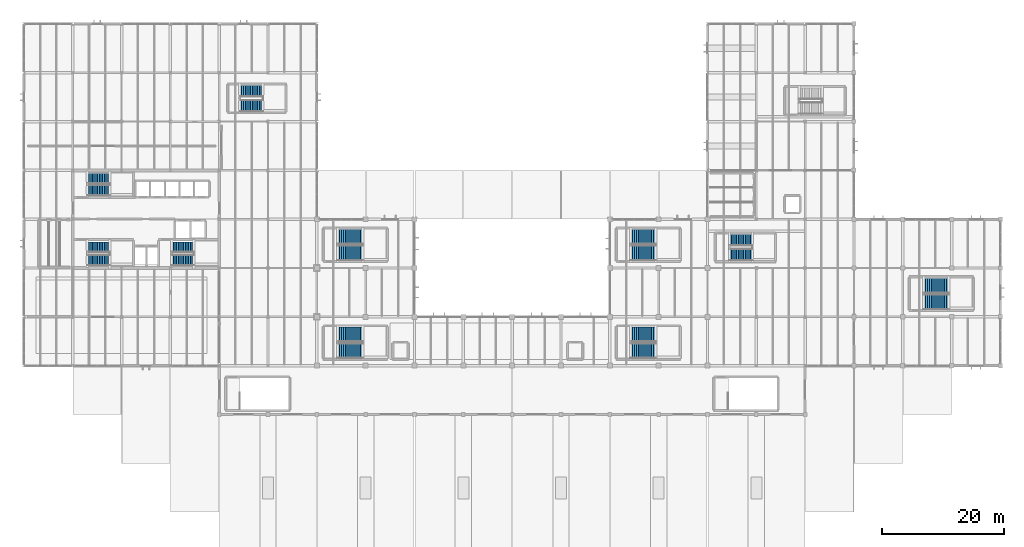
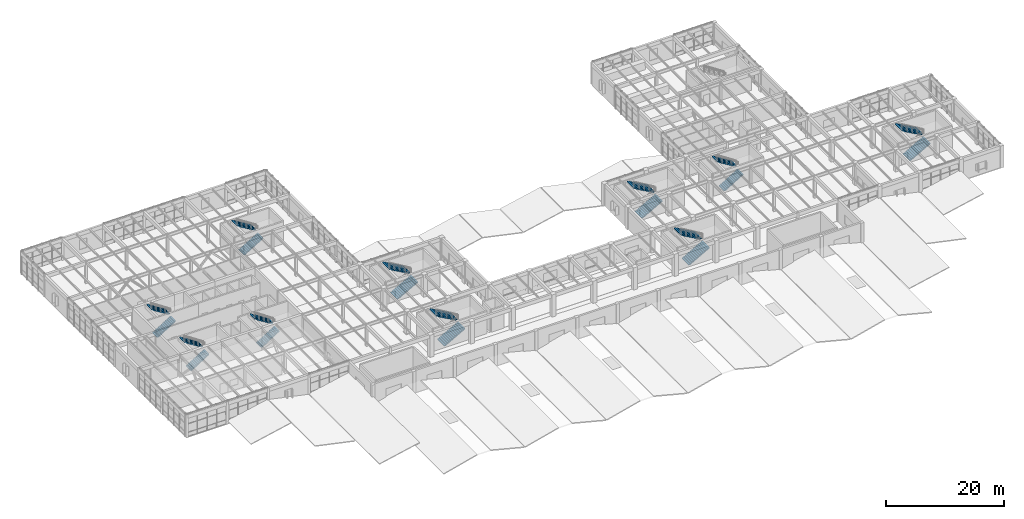
# One storey, part 48 of 60: 20 stair flights, 10 elements without a shape of their own.
"""IFC4 building model written with IfcOpenShell, lengths in metres."""

import ifcopenshell
import ifcopenshell.guid

model = None  # the IFC model being written
_history = None  # IfcOwnerHistory: only IFC2X3 demands one
_inside = {}  # id of a spatial element -> (the spatial element, [elements in it])
_under = {}  # id of a project, library or spatial element -> (it, [spatial elements below it])
_declared = {}  # id of a project -> (the project, [libraries it declares])
_typed = {}  # id of a type object -> (the type object, [elements of that type])
_made_of = {}  # id of a material, layer set ... -> (it, [elements and type objects made of it])


def new_model(schema):
    """Start an empty IFC model of exactly this schema.

    Asked for "IFC4X3", IfcOpenShell would pick the latest addendum, in which some entities
    have other attributes; the version numbers below select the first issue.
    IFC2X3 requires an IfcOwnerHistory on every rooted entity: one is made here for all.
    """
    global model, _history
    if schema == "IFC4X3":
        model = ifcopenshell.file(schema_version=(4, 3, 0, 0))
    else:
        model = ifcopenshell.file(schema=schema)
    _inside.clear()
    _under.clear()
    _declared.clear()
    _typed.clear()
    _made_of.clear()
    _history = None
    if model.schema == "IFC2X3":
        org = make("IfcOrganization", Name="unknown")
        user = make(
            "IfcPersonAndOrganization",
            ThePerson=make("IfcPerson", FamilyName="unknown"),
            TheOrganization=org,
        )
        app = make(
            "IfcApplication",
            ApplicationDeveloper=org,
            Version="unknown",
            ApplicationFullName="unknown",
            ApplicationIdentifier="unknown",
        )
        _history = make(
            "IfcOwnerHistory",
            OwningUser=user,
            OwningApplication=app,
            ChangeAction="ADDED",
            CreationDate=0,
        )
    return model


def make(cls, **values):
    """One entity of the class cls with the attributes given. An attribute that is None is left unset."""
    return model.create_entity(
        cls, **{name: value for name, value in values.items() if value is not None}
    )


def rooted(cls, **values):
    """An entity with a GlobalId (a new one), such as an element, a storey or a relation."""
    return make(cls, GlobalId=ifcopenshell.guid.new(), OwnerHistory=_history, **values)


def si_unit(unit_type, name, prefix=None):
    """IfcSIUnit, for example si_unit("LENGTHUNIT", "METRE", prefix="MILLI")."""
    return make("IfcSIUnit", UnitType=unit_type, Prefix=prefix, Name=name)


def assignment(units):
    """IfcUnitAssignment: the units of a project."""
    return None if units is None else make("IfcUnitAssignment", Units=units)


def point(xyz):
    """IfcCartesianPoint."""
    return None if xyz is None else make("IfcCartesianPoint", Coordinates=xyz)


def direction(xyz):
    """IfcDirection."""
    return None if xyz is None else make("IfcDirection", DirectionRatios=xyz)


def frame(location, z_axis=None, x_axis=None):
    """IfcAxis2Placement3D, a coordinate frame: its origin and axes. An axis left out is left unset."""
    return make(
        "IfcAxis2Placement3D",
        Location=point(location),
        Axis=direction(z_axis),
        RefDirection=direction(x_axis),
    )


def origin():
    """The frame at (0, 0, 0) with its axes left unset."""
    return frame((0.0, 0.0, 0.0))


def place(relative_to, where):
    """IfcLocalPlacement: puts the frame where relative to a parent placement (None: the world)."""
    return make(
        "IfcLocalPlacement", PlacementRelTo=relative_to, RelativePlacement=where
    )


def context(
    kind, dimensions, precision=None, world=None, true_north=None, identifier=None
):
    """IfcGeometricRepresentationContext, for example the 3D "Model" context."""
    return make(
        "IfcGeometricRepresentationContext",
        ContextIdentifier=identifier,
        ContextType=kind,
        CoordinateSpaceDimension=dimensions,
        Precision=precision,
        WorldCoordinateSystem=world,
        TrueNorth=true_north,
    )


def subcontext(parent, identifier, kind, view, scale=None):
    """IfcGeometricRepresentationSubContext, for example "Body" below "Model"."""
    return make(
        "IfcGeometricRepresentationSubContext",
        ContextIdentifier=identifier,
        ContextType=kind,
        ParentContext=parent,
        TargetScale=scale,
        TargetView=view,
    )


def project(units=None, contexts=None):
    """IfcProject with its units and contexts."""
    return rooted(
        "IfcProject",
        Name="project",
        RepresentationContexts=contexts,
        UnitsInContext=assignment(units),
    )


def spatial(cls, under=None, at=None, **own):
    """A site, building, storey or space (cls), placed at a placement, below another one or the project."""
    s = rooted(cls, ObjectPlacement=at, **own)
    if under is not None:
        _under.setdefault(under.id(), (under, []))[1].append(s)
    return s


def polyline(points):
    """IfcPolyline through the points."""
    return make("IfcPolyline", Points=[point(p) for p in points])


def outline(outer, holes=None, kind="AREA"):
    """IfcArbitraryClosedProfileDef: a profile drawn as a closed curve; with holes, ...WithVoids."""
    if holes is None:
        return make("IfcArbitraryClosedProfileDef", ProfileType=kind, OuterCurve=outer)
    return make(
        "IfcArbitraryProfileDefWithVoids",
        ProfileType=kind,
        OuterCurve=outer,
        InnerCurves=holes,
    )


def extrude(swept, where, along, depth):
    """IfcExtrudedAreaSolid: the profile swept, set in the frame where, extruded along a direction by depth."""
    return make(
        "IfcExtrudedAreaSolid",
        SweptArea=swept,
        Position=where,
        ExtrudedDirection=direction(along),
        Depth=depth,
    )


def shape(context_of_items, identifier, shape_type, items):
    """IfcShapeRepresentation: the items that make up one representation, for example the "Body"."""
    return make(
        "IfcShapeRepresentation",
        ContextOfItems=context_of_items,
        RepresentationIdentifier=identifier,
        RepresentationType=shape_type,
        Items=items,
    )


def material(Name=None, Category=None):
    """IfcMaterial."""
    return make("IfcMaterial", Name=Name, Category=Category)


def made_of(thing, what):
    """Note that an element or type object is made of a material, layer set ...; save() writes the relation."""
    if what is not None:
        _made_of.setdefault(what.id(), (what, []))[1].append(thing)
    return thing


def type_object(cls, material=None, **own):
    """A type object (cls), such as IfcWallType, which elements share."""
    return made_of(rooted(cls, **own), material)


def element(
    cls,
    number,
    at=None,
    inside=None,
    cuts=None,
    type_object=None,
    material=None,
    context=None,
    identifier="Body",
    shape_type=None,
    held_by="IfcProductDefinitionShape",
    body=None,
    shapes=None,
    **own,
):
    """One element of the class cls, such as IfcWall. Its Tag is "e" and its number.

    at: its placement. inside: the storey or other place that contains it. cuts: it is an
    opening in that element (IfcRelVoidsElement). A single representation is given by context,
    identifier, shape_type and body (its items); several are given by shapes. held_by: the class
    of the entity that holds the representations. save() writes the other relations.
    """
    e = rooted(cls, Tag="e%d" % number, ObjectPlacement=at, **own)
    if body is not None:
        shapes = [shape(context, identifier, shape_type, body)]
    if shapes is not None:
        e.Representation = make(held_by, Representations=shapes)
    if inside is not None:
        _inside.setdefault(inside.id(), (inside, []))[1].append(e)
    if cuts is not None:
        rooted(
            "IfcRelVoidsElement", RelatingBuildingElement=cuts, RelatedOpeningElement=e
        )
    if type_object is not None:
        _typed.setdefault(type_object.id(), (type_object, []))[1].append(e)
    return made_of(e, material)


def aggregate(whole, parts):
    """IfcRelAggregates: a whole, such as a stair, and the parts it consists of."""
    return rooted("IfcRelAggregates", RelatingObject=whole, RelatedObjects=parts)


def save(model, path):
    """Write the relations noted so far, then the file.

    IfcRelAggregates (storeys below a building ...), IfcRelContainedInSpatialStructure (elements
    in a storey), IfcRelDefinesByType, IfcRelAssociatesMaterial and IfcRelDeclares: one each for
    every whole, place, type object, material and project.
    """
    for whole, parts in _under.values():
        aggregate(whole, parts)
    for where, things in _inside.values():
        rooted(
            "IfcRelContainedInSpatialStructure",
            RelatedElements=things,
            RelatingStructure=where,
        )
    for kind, things in _typed.values():
        rooted("IfcRelDefinesByType", RelatedObjects=things, RelatingType=kind)
    for what, things in _made_of.values():
        rooted("IfcRelAssociatesMaterial", RelatedObjects=things, RelatingMaterial=what)
    for by, libraries in _declared.values():
        rooted("IfcRelDeclares", RelatingContext=by, RelatedDefinitions=libraries)
    model.write(path)


model = new_model("IFC4")

# Units and contexts
model_context = context("Model", 3, precision=1e-05, world=origin(), true_north=direction((0.0, 1.0)))
body_context = subcontext(model_context, "Body", "Model", "MODEL_VIEW")
ifc_project = project(units=[si_unit("LENGTHUNIT", "METRE"), si_unit("AREAUNIT", "SQUARE_METRE"), si_unit("VOLUMEUNIT", "CUBIC_METRE"), si_unit("PLANEANGLEUNIT", "RADIAN"), si_unit("MASSUNIT", "GRAM", prefix="KILO")], contexts=[model_context])

# Site, building, storey
site_placement = place(None, origin())
site = spatial("IfcSite", under=ifc_project, at=site_placement, CompositionType="ELEMENT")
building_placement = place(site_placement, origin())
building = spatial("IfcBuilding", under=site, at=building_placement, Name="Varnela Railside Interchange", CompositionType="ELEMENT")
storey_placement = place(building_placement, frame((0.0, 0.0, 6.300048828125)))
storey = spatial("IfcBuildingStorey", under=building, at=storey_placement, Name="L01", CompositionType="ELEMENT", Elevation=6.300048828125)

# Stair, stair flights
ifc_material = material(Name="Concrete C40", Category="concrete")
stair_type_1 = type_object("IfcStairType", Name="Core Pressurized Stair ST-165", PredefinedType="TWO_STRAIGHT_RUN_STAIR", material=ifc_material)
stair_1_placement = place(storey_placement, origin())
stair_1 = element("IfcStair", 1, at=stair_1_placement, inside=storey, type_object=stair_type_1, Name="Stair ST-T1 (L01) (SF-145)", PredefinedType="TWO_STRAIGHT_RUN_STAIR")
stair_flight_type_1 = type_object("IfcStairFlightType", Name="Concrete Stair Flight SF-165", PredefinedType="STRAIGHT", material=ifc_material)
stair_flight_1_placement = place(storey_placement, frame((14.39990234375, 55.324951171875, 0.0), z_axis=(0.0, 0.0, 1.0), x_axis=(1.0, 0.0, 0.0)))
stair_flight_1 = element("IfcStairFlight", 2, at=stair_flight_1_placement, type_object=stair_flight_type_1, Name="ST-T1 flight 1 (SF-146)", NumberOfRisers=14, NumberOfTreads=13, PredefinedType="STRAIGHT", RiserHeight=0.175, TreadLength=0.28, context=body_context, shape_type="SweptSolid", body=[
    extrude(outline(polyline([(0.0, 0.0), (0.0, 0.175048828125), (0.280029296875, 0.175048828125), (0.280029296875, 0.35009765625), (0.56005859375, 0.35009765625), (0.56005859375, 0.52490234375), (0.840087890625, 0.52490234375), (0.840087890625, 0.699951171875), (1.1201171875, 0.699951171875), (1.1201171875, 0.875), (1.39990234375, 0.875), (1.39990234375, 1.050048828125), (1.679931640625, 1.050048828125), (1.679931640625, 1.22509765625), (1.9599609375, 1.22509765625), (1.9599609375, 1.39990234375), (2.239990234375, 1.39990234375), (2.239990234375, 1.574951171875), (2.52001953125, 1.574951171875), (2.52001953125, 1.75), (2.800048828125, 1.75), (2.800048828125, 1.925048828125), (3.080078125, 1.925048828125), (3.080078125, 2.10009765625), (3.360107421875, 2.10009765625), (3.360107421875, 2.27490234375), (3.639892578125, 2.27490234375), (3.639892578125, 2.449951171875), (3.639892578125, 2.08642578125), (0.3017578125, 0.0), (0.0, 0.0)])), frame((0.0, 0.824951171875, 0.0), z_axis=(0.0, -1.0, 0.0), x_axis=(1.0, 0.0, 0.0)), (0.0, 0.0, 1.0), 1.64990234375),
])
stair_flight_2_placement = place(storey_placement, frame((18.0400390625, 57.47509765625, 2.449951171875), z_axis=(0.0, 0.0, 1.0), x_axis=(-1.0, 0.0, 0.0)))
stair_flight_2 = element("IfcStairFlight", 3, at=stair_flight_2_placement, type_object=stair_flight_type_1, Name="ST-T1 flight 2 (SF-147)", NumberOfRisers=14, NumberOfTreads=13, PredefinedType="STRAIGHT", RiserHeight=0.175, TreadLength=0.28, context=body_context, shape_type="SweptSolid", body=[
    extrude(outline(polyline([(0.0, 0.0), (0.0, 0.175048828125), (0.280029296875, 0.175048828125), (0.280029296875, 0.35009765625), (0.56005859375, 0.35009765625), (0.56005859375, 0.52490234375), (0.840087890625, 0.52490234375), (0.840087890625, 0.699951171875), (1.1201171875, 0.699951171875), (1.1201171875, 0.875), (1.39990234375, 0.875), (1.39990234375, 1.050048828125), (1.679931640625, 1.050048828125), (1.679931640625, 1.22509765625), (1.9599609375, 1.22509765625), (1.9599609375, 1.39990234375), (2.239990234375, 1.39990234375), (2.239990234375, 1.574951171875), (2.52001953125, 1.574951171875), (2.52001953125, 1.75), (2.800048828125, 1.75), (2.800048828125, 1.925048828125), (3.080078125, 1.925048828125), (3.080078125, 2.10009765625), (3.360107421875, 2.10009765625), (3.360107421875, 2.27490234375), (3.639892578125, 2.27490234375), (3.639892578125, 2.449951171875), (3.639892578125, 2.08642578125), (0.3017578125, 0.0), (0.0, 0.0)])), frame((0.0, 0.824951171875, 0.0), z_axis=(0.0, -1.0, 0.0), x_axis=(1.0, 0.0, 0.0)), (0.0, 0.0, 1.0), 1.64990234375),
])
aggregate(stair_1, [stair_flight_1, stair_flight_2])

stair_2_placement = place(storey_placement, origin())
stair_2 = element("IfcStair", 4, at=stair_2_placement, inside=storey, type_object=stair_type_1, Name="Stair ST-T2 (L01) (SF-148)", PredefinedType="TWO_STRAIGHT_RUN_STAIR")
stair_flight_3_placement = place(storey_placement, frame((28.199951171875, 55.324951171875, 0.0), z_axis=(0.0, 0.0, 1.0), x_axis=(1.0, 0.0, 0.0)))
stair_flight_3 = element("IfcStairFlight", 5, at=stair_flight_3_placement, type_object=stair_flight_type_1, Name="ST-T2 flight 1 (SF-149)", NumberOfRisers=14, NumberOfTreads=13, PredefinedType="STRAIGHT", RiserHeight=0.175, TreadLength=0.28, context=body_context, shape_type="SweptSolid", body=[
    extrude(outline(polyline([(0.0, 0.0), (0.0, 0.175048828125), (0.280029296875, 0.175048828125), (0.280029296875, 0.35009765625), (0.56005859375, 0.35009765625), (0.56005859375, 0.52490234375), (0.840087890625, 0.52490234375), (0.840087890625, 0.699951171875), (1.1201171875, 0.699951171875), (1.1201171875, 0.875), (1.39990234375, 0.875), (1.39990234375, 1.050048828125), (1.679931640625, 1.050048828125), (1.679931640625, 1.22509765625), (1.9599609375, 1.22509765625), (1.9599609375, 1.39990234375), (2.239990234375, 1.39990234375), (2.239990234375, 1.574951171875), (2.52001953125, 1.574951171875), (2.52001953125, 1.75), (2.800048828125, 1.75), (2.800048828125, 1.925048828125), (3.080078125, 1.925048828125), (3.080078125, 2.10009765625), (3.360107421875, 2.10009765625), (3.360107421875, 2.27490234375), (3.639892578125, 2.27490234375), (3.639892578125, 2.449951171875), (3.639892578125, 2.08642578125), (0.3017578125, 0.0), (0.0, 0.0)])), frame((0.0, 0.824951171875, 0.0), z_axis=(0.0, -1.0, 0.0), x_axis=(1.0, 0.0, 0.0)), (0.0, 0.0, 1.0), 1.64990234375),
])
stair_flight_4_placement = place(storey_placement, frame((31.840087890625, 57.47509765625, 2.449951171875), z_axis=(0.0, 0.0, 1.0), x_axis=(-1.0, 0.0, 0.0)))
stair_flight_4 = element("IfcStairFlight", 6, at=stair_flight_4_placement, type_object=stair_flight_type_1, Name="ST-T2 flight 2 (SF-150)", NumberOfRisers=14, NumberOfTreads=13, PredefinedType="STRAIGHT", RiserHeight=0.175, TreadLength=0.28, context=body_context, shape_type="SweptSolid", body=[
    extrude(outline(polyline([(0.0, 0.0), (0.0, 0.175048828125), (0.280029296875, 0.175048828125), (0.280029296875, 0.35009765625), (0.56005859375, 0.35009765625), (0.56005859375, 0.52490234375), (0.840087890625, 0.52490234375), (0.840087890625, 0.699951171875), (1.1201171875, 0.699951171875), (1.1201171875, 0.875), (1.39990234375, 0.875), (1.39990234375, 1.050048828125), (1.679931640625, 1.050048828125), (1.679931640625, 1.22509765625), (1.9599609375, 1.22509765625), (1.9599609375, 1.39990234375), (2.239990234375, 1.39990234375), (2.239990234375, 1.574951171875), (2.52001953125, 1.574951171875), (2.52001953125, 1.75), (2.800048828125, 1.75), (2.800048828125, 1.925048828125), (3.080078125, 1.925048828125), (3.080078125, 2.10009765625), (3.360107421875, 2.10009765625), (3.360107421875, 2.27490234375), (3.639892578125, 2.27490234375), (3.639892578125, 2.449951171875), (3.639892578125, 2.08642578125), (0.3017578125, 0.0), (0.0, 0.0)])), frame((0.0, 0.824951171875, 0.0), z_axis=(0.0, -1.0, 0.0), x_axis=(1.0, 0.0, 0.0)), (0.0, 0.0, 1.0), 1.64990234375),
])
aggregate(stair_2, [stair_flight_3, stair_flight_4])

stair_3_placement = place(storey_placement, origin())
stair_3 = element("IfcStair", 7, at=stair_3_placement, inside=storey, type_object=stair_type_1, Name="Stair ST-T3 (L01) (SF-151)", PredefinedType="TWO_STRAIGHT_RUN_STAIR")
stair_flight_5_placement = place(storey_placement, frame((14.39990234375, 66.72509765625, 0.0), z_axis=(0.0, 0.0, 1.0), x_axis=(1.0, 0.0, 0.0)))
stair_flight_5 = element("IfcStairFlight", 8, at=stair_flight_5_placement, type_object=stair_flight_type_1, Name="ST-T3 flight 1 (SF-152)", NumberOfRisers=14, NumberOfTreads=13, PredefinedType="STRAIGHT", RiserHeight=0.175, TreadLength=0.28, context=body_context, shape_type="SweptSolid", body=[
    extrude(outline(polyline([(0.0, 0.0), (0.0, 0.175048828125), (0.280029296875, 0.175048828125), (0.280029296875, 0.35009765625), (0.56005859375, 0.35009765625), (0.56005859375, 0.52490234375), (0.840087890625, 0.52490234375), (0.840087890625, 0.699951171875), (1.1201171875, 0.699951171875), (1.1201171875, 0.875), (1.39990234375, 0.875), (1.39990234375, 1.050048828125), (1.679931640625, 1.050048828125), (1.679931640625, 1.22509765625), (1.9599609375, 1.22509765625), (1.9599609375, 1.39990234375), (2.239990234375, 1.39990234375), (2.239990234375, 1.574951171875), (2.52001953125, 1.574951171875), (2.52001953125, 1.75), (2.800048828125, 1.75), (2.800048828125, 1.925048828125), (3.080078125, 1.925048828125), (3.080078125, 2.10009765625), (3.360107421875, 2.10009765625), (3.360107421875, 2.27490234375), (3.639892578125, 2.27490234375), (3.639892578125, 2.449951171875), (3.639892578125, 2.08642578125), (0.3017578125, 0.0), (0.0, 0.0)])), frame((0.0, 0.824951171875, 0.0), z_axis=(0.0, -1.0, 0.0), x_axis=(1.0, 0.0, 0.0)), (0.0, 0.0, 1.0), 1.64990234375),
])
stair_flight_6_placement = place(storey_placement, frame((18.0400390625, 68.675048828125, 2.449951171875), z_axis=(0.0, 0.0, 1.0), x_axis=(-1.0, 0.0, 0.0)))
stair_flight_6 = element("IfcStairFlight", 9, at=stair_flight_6_placement, type_object=stair_flight_type_1, Name="ST-T3 flight 2 (SF-153)", NumberOfRisers=14, NumberOfTreads=13, PredefinedType="STRAIGHT", RiserHeight=0.175, TreadLength=0.28, context=body_context, shape_type="SweptSolid", body=[
    extrude(outline(polyline([(0.0, 0.0), (0.0, 0.175048828125), (0.280029296875, 0.175048828125), (0.280029296875, 0.35009765625), (0.56005859375, 0.35009765625), (0.56005859375, 0.52490234375), (0.840087890625, 0.52490234375), (0.840087890625, 0.699951171875), (1.1201171875, 0.699951171875), (1.1201171875, 0.875), (1.39990234375, 0.875), (1.39990234375, 1.050048828125), (1.679931640625, 1.050048828125), (1.679931640625, 1.22509765625), (1.9599609375, 1.22509765625), (1.9599609375, 1.39990234375), (2.239990234375, 1.39990234375), (2.239990234375, 1.574951171875), (2.52001953125, 1.574951171875), (2.52001953125, 1.75), (2.800048828125, 1.75), (2.800048828125, 1.925048828125), (3.080078125, 1.925048828125), (3.080078125, 2.10009765625), (3.360107421875, 2.10009765625), (3.360107421875, 2.27490234375), (3.639892578125, 2.27490234375), (3.639892578125, 2.449951171875), (3.639892578125, 2.08642578125), (0.3017578125, 0.0), (0.0, 0.0)])), frame((0.0, 0.824951171875, 0.0), z_axis=(0.0, -1.0, 0.0), x_axis=(1.0, 0.0, 0.0)), (0.0, 0.0, 1.0), 1.64990234375),
])
aggregate(stair_3, [stair_flight_5, stair_flight_6])

stair_type_2 = type_object("IfcStairType", Name="Study Pavilion Stair ST-180", PredefinedType="TWO_STRAIGHT_RUN_STAIR", material=ifc_material)
stair_4_placement = place(storey_placement, origin())
stair_4 = element("IfcStair", 10, at=stair_4_placement, inside=storey, type_object=stair_type_2, Name="Stair ST-E1 (L01) (SF-136)", PredefinedType="TWO_STRAIGHT_RUN_STAIR")
stair_flight_type_2 = type_object("IfcStairFlightType", Name="Concrete Stair Flight SF-180", PredefinedType="STRAIGHT", material=ifc_material)
stair_flight_7_placement = place(storey_placement, frame((119.60009765625, 56.199951171875, 0.0), z_axis=(0.0, 0.0, 1.0), x_axis=(1.0, 0.0, 0.0)))
stair_flight_7 = element("IfcStairFlight", 11, at=stair_flight_7_placement, type_object=stair_flight_type_2, Name="ST-E1 flight 1 (SF-137)", NumberOfRisers=14, NumberOfTreads=13, PredefinedType="STRAIGHT", RiserHeight=0.175, TreadLength=0.29, context=body_context, shape_type="SweptSolid", body=[
    extrude(outline(polyline([(0.0, 0.0), (0.0, 0.175048828125), (0.2900390625, 0.175048828125), (0.2900390625, 0.35009765625), (0.580078125, 0.35009765625), (0.580078125, 0.52490234375), (0.8701171875, 0.52490234375), (0.8701171875, 0.699951171875), (1.159912109375, 0.699951171875), (1.159912109375, 0.875), (1.449951171875, 0.875), (1.449951171875, 1.050048828125), (1.739990234375, 1.050048828125), (1.739990234375, 1.22509765625), (2.030029296875, 1.22509765625), (2.030029296875, 1.39990234375), (2.320068359375, 1.39990234375), (2.320068359375, 1.574951171875), (2.610107421875, 1.574951171875), (2.610107421875, 1.75), (2.89990234375, 1.75), (2.89990234375, 1.925048828125), (3.18994140625, 1.925048828125), (3.18994140625, 2.10009765625), (3.47998046875, 2.10009765625), (3.47998046875, 2.27490234375), (3.77001953125, 2.27490234375), (3.77001953125, 2.449951171875), (3.77001953125, 2.088134765625), (0.3095703125, 0.0), (0.0, 0.0)])), frame((0.0, 0.89990234375, 0.0), z_axis=(0.0, -1.0, 0.0), x_axis=(1.0, 0.0, 0.0)), (0.0, 0.0, 1.0), 1.800048828125),
])
stair_flight_8_placement = place(storey_placement, frame((123.3701171875, 58.60009765625, 2.449951171875), z_axis=(0.0, 0.0, 1.0), x_axis=(-1.0, 0.0, 0.0)))
stair_flight_8 = element("IfcStairFlight", 12, at=stair_flight_8_placement, type_object=stair_flight_type_2, Name="ST-E1 flight 2 (SF-138)", NumberOfRisers=14, NumberOfTreads=13, PredefinedType="STRAIGHT", RiserHeight=0.175, TreadLength=0.29, context=body_context, shape_type="SweptSolid", body=[
    extrude(outline(polyline([(0.0, 0.0), (0.0, 0.175048828125), (0.2900390625, 0.175048828125), (0.2900390625, 0.35009765625), (0.580078125, 0.35009765625), (0.580078125, 0.52490234375), (0.8701171875, 0.52490234375), (0.8701171875, 0.699951171875), (1.159912109375, 0.699951171875), (1.159912109375, 0.875), (1.449951171875, 0.875), (1.449951171875, 1.050048828125), (1.739990234375, 1.050048828125), (1.739990234375, 1.22509765625), (2.030029296875, 1.22509765625), (2.030029296875, 1.39990234375), (2.320068359375, 1.39990234375), (2.320068359375, 1.574951171875), (2.610107421875, 1.574951171875), (2.610107421875, 1.75), (2.89990234375, 1.75), (2.89990234375, 1.925048828125), (3.18994140625, 1.925048828125), (3.18994140625, 2.10009765625), (3.47998046875, 2.10009765625), (3.47998046875, 2.27490234375), (3.77001953125, 2.27490234375), (3.77001953125, 2.449951171875), (3.77001953125, 2.088134765625), (0.3095703125, 0.0), (0.0, 0.0)])), frame((0.0, 0.89990234375, 0.0), z_axis=(0.0, -1.0, 0.0), x_axis=(1.0, 0.0, 0.0)), (0.0, 0.0, 1.0), 1.800048828125),
])
aggregate(stair_4, [stair_flight_7, stair_flight_8])

stair_5_placement = place(storey_placement, origin())
stair_5 = element("IfcStair", 13, at=stair_5_placement, inside=storey, type_object=stair_type_2, Name="Stair ST-W1 (L01) (SF-154)", PredefinedType="TWO_STRAIGHT_RUN_STAIR")
stair_flight_9_placement = place(storey_placement, frame((39.39990234375, 80.60009765625, 0.0), z_axis=(0.0, 0.0, 1.0), x_axis=(1.0, 0.0, 0.0)))
stair_flight_9 = element("IfcStairFlight", 14, at=stair_flight_9_placement, type_object=stair_flight_type_2, Name="ST-W1 flight 1 (SF-155)", NumberOfRisers=14, NumberOfTreads=13, PredefinedType="STRAIGHT", RiserHeight=0.175, TreadLength=0.29, context=body_context, shape_type="SweptSolid", body=[
    extrude(outline(polyline([(0.0, 0.0), (0.0, 0.175048828125), (0.2900390625, 0.175048828125), (0.2900390625, 0.35009765625), (0.580078125, 0.35009765625), (0.580078125, 0.52490234375), (0.8701171875, 0.52490234375), (0.8701171875, 0.699951171875), (1.159912109375, 0.699951171875), (1.159912109375, 0.875), (1.449951171875, 0.875), (1.449951171875, 1.050048828125), (1.739990234375, 1.050048828125), (1.739990234375, 1.22509765625), (2.030029296875, 1.22509765625), (2.030029296875, 1.39990234375), (2.320068359375, 1.39990234375), (2.320068359375, 1.574951171875), (2.610107421875, 1.574951171875), (2.610107421875, 1.75), (2.89990234375, 1.75), (2.89990234375, 1.925048828125), (3.18994140625, 1.925048828125), (3.18994140625, 2.10009765625), (3.47998046875, 2.10009765625), (3.47998046875, 2.27490234375), (3.77001953125, 2.27490234375), (3.77001953125, 2.449951171875), (3.77001953125, 2.088134765625), (0.3095703125, 0.0), (0.0, 0.0)])), frame((0.0, 0.89990234375, 0.0), z_axis=(0.0, -1.0, 0.0), x_axis=(1.0, 0.0, 0.0)), (0.0, 0.0, 1.0), 1.800048828125),
])
stair_flight_10_placement = place(storey_placement, frame((43.169921875, 83.0, 2.449951171875), z_axis=(0.0, 0.0, 1.0), x_axis=(-1.0, 0.0, 0.0)))
stair_flight_10 = element("IfcStairFlight", 15, at=stair_flight_10_placement, type_object=stair_flight_type_2, Name="ST-W1 flight 2 (SF-156)", NumberOfRisers=14, NumberOfTreads=13, PredefinedType="STRAIGHT", RiserHeight=0.175, TreadLength=0.29, context=body_context, shape_type="SweptSolid", body=[
    extrude(outline(polyline([(0.0, 0.0), (0.0, 0.175048828125), (0.2900390625, 0.175048828125), (0.2900390625, 0.35009765625), (0.580078125, 0.35009765625), (0.580078125, 0.52490234375), (0.8701171875, 0.52490234375), (0.8701171875, 0.699951171875), (1.159912109375, 0.699951171875), (1.159912109375, 0.875), (1.449951171875, 0.875), (1.449951171875, 1.050048828125), (1.739990234375, 1.050048828125), (1.739990234375, 1.22509765625), (2.030029296875, 1.22509765625), (2.030029296875, 1.39990234375), (2.320068359375, 1.39990234375), (2.320068359375, 1.574951171875), (2.610107421875, 1.574951171875), (2.610107421875, 1.75), (2.89990234375, 1.75), (2.89990234375, 1.925048828125), (3.18994140625, 1.925048828125), (3.18994140625, 2.10009765625), (3.47998046875, 2.10009765625), (3.47998046875, 2.27490234375), (3.77001953125, 2.27490234375), (3.77001953125, 2.449951171875), (3.77001953125, 2.088134765625), (0.3095703125, 0.0), (0.0, 0.0)])), frame((0.0, 0.89990234375, 0.0), z_axis=(0.0, -1.0, 0.0), x_axis=(1.0, 0.0, 0.0)), (0.0, 0.0, 1.0), 1.800048828125),
])
aggregate(stair_5, [stair_flight_9, stair_flight_10])

stair_type_3 = type_object("IfcStairType", Name="Concourse Public Stair ST-235", PredefinedType="TWO_STRAIGHT_RUN_STAIR", material=ifc_material)
stair_6_placement = place(storey_placement, origin())
stair_6 = element("IfcStair", 16, at=stair_6_placement, inside=storey, type_object=stair_type_3, Name="Stair ST-E3 (L01) (SF-142)", PredefinedType="TWO_STRAIGHT_RUN_STAIR")
stair_flight_type_3 = type_object("IfcStairFlightType", Name="Concrete Stair Flight SF-235", PredefinedType="STRAIGHT", material=ifc_material)
stair_flight_11_placement = place(storey_placement, frame((151.39990234375, 48.47509765625, 0.0), z_axis=(0.0, 0.0, 1.0), x_axis=(1.0, 0.0, 0.0)))
stair_flight_11 = element("IfcStairFlight", 17, at=stair_flight_11_placement, type_object=stair_flight_type_3, Name="ST-E3 flight 1 (SF-143)", NumberOfRisers=14, NumberOfTreads=13, PredefinedType="STRAIGHT", RiserHeight=0.175, TreadLength=0.315, context=body_context, shape_type="SweptSolid", body=[
    extrude(outline(polyline([(0.0, 0.0), (0.0, 0.175048828125), (0.31494140625, 0.175048828125), (0.31494140625, 0.35009765625), (0.6298828125, 0.35009765625), (0.6298828125, 0.52490234375), (0.945068359375, 0.52490234375), (0.945068359375, 0.699951171875), (1.260009765625, 0.699951171875), (1.260009765625, 0.875), (1.574951171875, 0.875), (1.574951171875, 1.050048828125), (1.889892578125, 1.050048828125), (1.889892578125, 1.22509765625), (2.205078125, 1.22509765625), (2.205078125, 1.39990234375), (2.52001953125, 1.39990234375), (2.52001953125, 1.574951171875), (2.8349609375, 1.574951171875), (2.8349609375, 1.75), (3.14990234375, 1.75), (3.14990234375, 1.925048828125), (3.465087890625, 1.925048828125), (3.465087890625, 2.10009765625), (3.780029296875, 2.10009765625), (3.780029296875, 2.27490234375), (4.094970703125, 2.27490234375), (4.094970703125, 2.449951171875), (4.094970703125, 2.092041015625), (0.329345703125, 0.0), (0.0, 0.0)])), frame((0.0, 1.175048828125, 0.0), z_axis=(0.0, -1.0, 0.0), x_axis=(1.0, 0.0, 0.0)), (0.0, 0.0, 1.0), 2.35009765625),
])
stair_flight_12_placement = place(storey_placement, frame((155.4951171875, 51.125, 2.449951171875), z_axis=(0.0, 0.0, 1.0), x_axis=(-1.0, 0.0, 0.0)))
stair_flight_12 = element("IfcStairFlight", 18, at=stair_flight_12_placement, type_object=stair_flight_type_3, Name="ST-E3 flight 2 (SF-144)", NumberOfRisers=14, NumberOfTreads=13, PredefinedType="STRAIGHT", RiserHeight=0.175, TreadLength=0.315, context=body_context, shape_type="SweptSolid", body=[
    extrude(outline(polyline([(0.0, 0.0), (0.0, 0.175048828125), (0.31494140625, 0.175048828125), (0.31494140625, 0.35009765625), (0.6298828125, 0.35009765625), (0.6298828125, 0.52490234375), (0.945068359375, 0.52490234375), (0.945068359375, 0.699951171875), (1.260009765625, 0.699951171875), (1.260009765625, 0.875), (1.574951171875, 0.875), (1.574951171875, 1.050048828125), (1.889892578125, 1.050048828125), (1.889892578125, 1.22509765625), (2.205078125, 1.22509765625), (2.205078125, 1.39990234375), (2.52001953125, 1.39990234375), (2.52001953125, 1.574951171875), (2.8349609375, 1.574951171875), (2.8349609375, 1.75), (3.14990234375, 1.75), (3.14990234375, 1.925048828125), (3.465087890625, 1.925048828125), (3.465087890625, 2.10009765625), (3.780029296875, 2.10009765625), (3.780029296875, 2.27490234375), (4.094970703125, 2.27490234375), (4.094970703125, 2.449951171875), (4.094970703125, 2.092041015625), (0.329345703125, 0.0), (0.0, 0.0)])), frame((0.0, 1.175048828125, 0.0), z_axis=(0.0, -1.0, 0.0), x_axis=(1.0, 0.0, 0.0)), (0.0, 0.0, 1.0), 2.35009765625),
])
aggregate(stair_6, [stair_flight_11, stair_flight_12])

stair_7_placement = place(storey_placement, origin())
stair_7 = element("IfcStair", 19, at=stair_7_placement, inside=storey, type_object=stair_type_3, Name="Stair ST-C1 (L01) (SF-124)", PredefinedType="TWO_STRAIGHT_RUN_STAIR")
stair_flight_13_placement = place(storey_placement, frame((55.39990234375, 40.47509765625, 0.0), z_axis=(0.0, 0.0, 1.0), x_axis=(1.0, 0.0, 0.0)))
stair_flight_13 = element("IfcStairFlight", 20, at=stair_flight_13_placement, type_object=stair_flight_type_3, Name="ST-C1 flight 1 (SF-125)", NumberOfRisers=14, NumberOfTreads=13, PredefinedType="STRAIGHT", RiserHeight=0.175, TreadLength=0.315, context=body_context, shape_type="SweptSolid", body=[
    extrude(outline(polyline([(0.0, 0.0), (0.0, 0.175048828125), (0.31494140625, 0.175048828125), (0.31494140625, 0.35009765625), (0.6298828125, 0.35009765625), (0.6298828125, 0.52490234375), (0.945068359375, 0.52490234375), (0.945068359375, 0.699951171875), (1.260009765625, 0.699951171875), (1.260009765625, 0.875), (1.574951171875, 0.875), (1.574951171875, 1.050048828125), (1.889892578125, 1.050048828125), (1.889892578125, 1.22509765625), (2.205078125, 1.22509765625), (2.205078125, 1.39990234375), (2.52001953125, 1.39990234375), (2.52001953125, 1.574951171875), (2.8349609375, 1.574951171875), (2.8349609375, 1.75), (3.14990234375, 1.75), (3.14990234375, 1.925048828125), (3.465087890625, 1.925048828125), (3.465087890625, 2.10009765625), (3.780029296875, 2.10009765625), (3.780029296875, 2.27490234375), (4.094970703125, 2.27490234375), (4.094970703125, 2.449951171875), (4.094970703125, 2.092041015625), (0.329345703125, 0.0), (0.0, 0.0)])), frame((0.0, 1.175048828125, 0.0), z_axis=(0.0, -1.0, 0.0), x_axis=(1.0, 0.0, 0.0)), (0.0, 0.0, 1.0), 2.35009765625),
])
stair_flight_14_placement = place(storey_placement, frame((59.4951171875, 43.125, 2.449951171875), z_axis=(0.0, 0.0, 1.0), x_axis=(-1.0, 0.0, 0.0)))
stair_flight_14 = element("IfcStairFlight", 21, at=stair_flight_14_placement, type_object=stair_flight_type_3, Name="ST-C1 flight 2 (SF-126)", NumberOfRisers=14, NumberOfTreads=13, PredefinedType="STRAIGHT", RiserHeight=0.175, TreadLength=0.315, context=body_context, shape_type="SweptSolid", body=[
    extrude(outline(polyline([(0.0, 0.0), (0.0, 0.175048828125), (0.31494140625, 0.175048828125), (0.31494140625, 0.35009765625), (0.6298828125, 0.35009765625), (0.6298828125, 0.52490234375), (0.945068359375, 0.52490234375), (0.945068359375, 0.699951171875), (1.260009765625, 0.699951171875), (1.260009765625, 0.875), (1.574951171875, 0.875), (1.574951171875, 1.050048828125), (1.889892578125, 1.050048828125), (1.889892578125, 1.22509765625), (2.205078125, 1.22509765625), (2.205078125, 1.39990234375), (2.52001953125, 1.39990234375), (2.52001953125, 1.574951171875), (2.8349609375, 1.574951171875), (2.8349609375, 1.75), (3.14990234375, 1.75), (3.14990234375, 1.925048828125), (3.465087890625, 1.925048828125), (3.465087890625, 2.10009765625), (3.780029296875, 2.10009765625), (3.780029296875, 2.27490234375), (4.094970703125, 2.27490234375), (4.094970703125, 2.449951171875), (4.094970703125, 2.092041015625), (0.329345703125, 0.0), (0.0, 0.0)])), frame((0.0, 1.175048828125, 0.0), z_axis=(0.0, -1.0, 0.0), x_axis=(1.0, 0.0, 0.0)), (0.0, 0.0, 1.0), 2.35009765625),
])
aggregate(stair_7, [stair_flight_13, stair_flight_14])

stair_8_placement = place(storey_placement, origin())
stair_8 = element("IfcStair", 22, at=stair_8_placement, inside=storey, type_object=stair_type_3, Name="Stair ST-C2 (L01) (SF-127)", PredefinedType="TWO_STRAIGHT_RUN_STAIR")
stair_flight_15_placement = place(storey_placement, frame((103.39990234375, 40.47509765625, 0.0), z_axis=(0.0, 0.0, 1.0), x_axis=(1.0, 0.0, 0.0)))
stair_flight_15 = element("IfcStairFlight", 23, at=stair_flight_15_placement, type_object=stair_flight_type_3, Name="ST-C2 flight 1 (SF-128)", NumberOfRisers=14, NumberOfTreads=13, PredefinedType="STRAIGHT", RiserHeight=0.175, TreadLength=0.315, context=body_context, shape_type="SweptSolid", body=[
    extrude(outline(polyline([(0.0, 0.0), (0.0, 0.175048828125), (0.31494140625, 0.175048828125), (0.31494140625, 0.35009765625), (0.6298828125, 0.35009765625), (0.6298828125, 0.52490234375), (0.945068359375, 0.52490234375), (0.945068359375, 0.699951171875), (1.260009765625, 0.699951171875), (1.260009765625, 0.875), (1.574951171875, 0.875), (1.574951171875, 1.050048828125), (1.889892578125, 1.050048828125), (1.889892578125, 1.22509765625), (2.205078125, 1.22509765625), (2.205078125, 1.39990234375), (2.52001953125, 1.39990234375), (2.52001953125, 1.574951171875), (2.8349609375, 1.574951171875), (2.8349609375, 1.75), (3.14990234375, 1.75), (3.14990234375, 1.925048828125), (3.465087890625, 1.925048828125), (3.465087890625, 2.10009765625), (3.780029296875, 2.10009765625), (3.780029296875, 2.27490234375), (4.094970703125, 2.27490234375), (4.094970703125, 2.449951171875), (4.094970703125, 2.092041015625), (0.329345703125, 0.0), (0.0, 0.0)])), frame((0.0, 1.175048828125, 0.0), z_axis=(0.0, -1.0, 0.0), x_axis=(1.0, 0.0, 0.0)), (0.0, 0.0, 1.0), 2.35009765625),
])
stair_flight_16_placement = place(storey_placement, frame((107.4951171875, 43.125, 2.449951171875), z_axis=(0.0, 0.0, 1.0), x_axis=(-1.0, 0.0, 0.0)))
stair_flight_16 = element("IfcStairFlight", 24, at=stair_flight_16_placement, type_object=stair_flight_type_3, Name="ST-C2 flight 2 (SF-129)", NumberOfRisers=14, NumberOfTreads=13, PredefinedType="STRAIGHT", RiserHeight=0.175, TreadLength=0.315, context=body_context, shape_type="SweptSolid", body=[
    extrude(outline(polyline([(0.0, 0.0), (0.0, 0.175048828125), (0.31494140625, 0.175048828125), (0.31494140625, 0.35009765625), (0.6298828125, 0.35009765625), (0.6298828125, 0.52490234375), (0.945068359375, 0.52490234375), (0.945068359375, 0.699951171875), (1.260009765625, 0.699951171875), (1.260009765625, 0.875), (1.574951171875, 0.875), (1.574951171875, 1.050048828125), (1.889892578125, 1.050048828125), (1.889892578125, 1.22509765625), (2.205078125, 1.22509765625), (2.205078125, 1.39990234375), (2.52001953125, 1.39990234375), (2.52001953125, 1.574951171875), (2.8349609375, 1.574951171875), (2.8349609375, 1.75), (3.14990234375, 1.75), (3.14990234375, 1.925048828125), (3.465087890625, 1.925048828125), (3.465087890625, 2.10009765625), (3.780029296875, 2.10009765625), (3.780029296875, 2.27490234375), (4.094970703125, 2.27490234375), (4.094970703125, 2.449951171875), (4.094970703125, 2.092041015625), (0.329345703125, 0.0), (0.0, 0.0)])), frame((0.0, 1.175048828125, 0.0), z_axis=(0.0, -1.0, 0.0), x_axis=(1.0, 0.0, 0.0)), (0.0, 0.0, 1.0), 2.35009765625),
])
aggregate(stair_8, [stair_flight_15, stair_flight_16])

stair_9_placement = place(storey_placement, origin())
stair_9 = element("IfcStair", 25, at=stair_9_placement, inside=storey, type_object=stair_type_3, Name="Stair ST-C3 (L01) (SF-130)", PredefinedType="TWO_STRAIGHT_RUN_STAIR")
stair_flight_17_placement = place(storey_placement, frame((55.39990234375, 56.47509765625, 0.0), z_axis=(0.0, 0.0, 1.0), x_axis=(1.0, 0.0, 0.0)))
stair_flight_17 = element("IfcStairFlight", 26, at=stair_flight_17_placement, type_object=stair_flight_type_3, Name="ST-C3 flight 1 (SF-131)", NumberOfRisers=14, NumberOfTreads=13, PredefinedType="STRAIGHT", RiserHeight=0.175, TreadLength=0.315, context=body_context, shape_type="SweptSolid", body=[
    extrude(outline(polyline([(0.0, 0.0), (0.0, 0.175048828125), (0.31494140625, 0.175048828125), (0.31494140625, 0.35009765625), (0.6298828125, 0.35009765625), (0.6298828125, 0.52490234375), (0.945068359375, 0.52490234375), (0.945068359375, 0.699951171875), (1.260009765625, 0.699951171875), (1.260009765625, 0.875), (1.574951171875, 0.875), (1.574951171875, 1.050048828125), (1.889892578125, 1.050048828125), (1.889892578125, 1.22509765625), (2.205078125, 1.22509765625), (2.205078125, 1.39990234375), (2.52001953125, 1.39990234375), (2.52001953125, 1.574951171875), (2.8349609375, 1.574951171875), (2.8349609375, 1.75), (3.14990234375, 1.75), (3.14990234375, 1.925048828125), (3.465087890625, 1.925048828125), (3.465087890625, 2.10009765625), (3.780029296875, 2.10009765625), (3.780029296875, 2.27490234375), (4.094970703125, 2.27490234375), (4.094970703125, 2.449951171875), (4.094970703125, 2.092041015625), (0.329345703125, 0.0), (0.0, 0.0)])), frame((0.0, 1.175048828125, 0.0), z_axis=(0.0, -1.0, 0.0), x_axis=(1.0, 0.0, 0.0)), (0.0, 0.0, 1.0), 2.35009765625),
])
stair_flight_18_placement = place(storey_placement, frame((59.4951171875, 59.125, 2.449951171875), z_axis=(0.0, 0.0, 1.0), x_axis=(-1.0, 0.0, 0.0)))
stair_flight_18 = element("IfcStairFlight", 27, at=stair_flight_18_placement, type_object=stair_flight_type_3, Name="ST-C3 flight 2 (SF-132)", NumberOfRisers=14, NumberOfTreads=13, PredefinedType="STRAIGHT", RiserHeight=0.175, TreadLength=0.315, context=body_context, shape_type="SweptSolid", body=[
    extrude(outline(polyline([(0.0, 0.0), (0.0, 0.175048828125), (0.31494140625, 0.175048828125), (0.31494140625, 0.35009765625), (0.6298828125, 0.35009765625), (0.6298828125, 0.52490234375), (0.945068359375, 0.52490234375), (0.945068359375, 0.699951171875), (1.260009765625, 0.699951171875), (1.260009765625, 0.875), (1.574951171875, 0.875), (1.574951171875, 1.050048828125), (1.889892578125, 1.050048828125), (1.889892578125, 1.22509765625), (2.205078125, 1.22509765625), (2.205078125, 1.39990234375), (2.52001953125, 1.39990234375), (2.52001953125, 1.574951171875), (2.8349609375, 1.574951171875), (2.8349609375, 1.75), (3.14990234375, 1.75), (3.14990234375, 1.925048828125), (3.465087890625, 1.925048828125), (3.465087890625, 2.10009765625), (3.780029296875, 2.10009765625), (3.780029296875, 2.27490234375), (4.094970703125, 2.27490234375), (4.094970703125, 2.449951171875), (4.094970703125, 2.092041015625), (0.329345703125, 0.0), (0.0, 0.0)])), frame((0.0, 1.175048828125, 0.0), z_axis=(0.0, -1.0, 0.0), x_axis=(1.0, 0.0, 0.0)), (0.0, 0.0, 1.0), 2.35009765625),
])
aggregate(stair_9, [stair_flight_17, stair_flight_18])

stair_10_placement = place(storey_placement, origin())
stair_10 = element("IfcStair", 28, at=stair_10_placement, inside=storey, type_object=stair_type_3, Name="Stair ST-C4 (L01) (SF-133)", PredefinedType="TWO_STRAIGHT_RUN_STAIR")
stair_flight_19_placement = place(storey_placement, frame((103.39990234375, 56.47509765625, 0.0), z_axis=(0.0, 0.0, 1.0), x_axis=(1.0, 0.0, 0.0)))
stair_flight_19 = element("IfcStairFlight", 29, at=stair_flight_19_placement, type_object=stair_flight_type_3, Name="ST-C4 flight 1 (SF-134)", NumberOfRisers=14, NumberOfTreads=13, PredefinedType="STRAIGHT", RiserHeight=0.175, TreadLength=0.315, context=body_context, shape_type="SweptSolid", body=[
    extrude(outline(polyline([(0.0, 0.0), (0.0, 0.175048828125), (0.31494140625, 0.175048828125), (0.31494140625, 0.35009765625), (0.6298828125, 0.35009765625), (0.6298828125, 0.52490234375), (0.945068359375, 0.52490234375), (0.945068359375, 0.699951171875), (1.260009765625, 0.699951171875), (1.260009765625, 0.875), (1.574951171875, 0.875), (1.574951171875, 1.050048828125), (1.889892578125, 1.050048828125), (1.889892578125, 1.22509765625), (2.205078125, 1.22509765625), (2.205078125, 1.39990234375), (2.52001953125, 1.39990234375), (2.52001953125, 1.574951171875), (2.8349609375, 1.574951171875), (2.8349609375, 1.75), (3.14990234375, 1.75), (3.14990234375, 1.925048828125), (3.465087890625, 1.925048828125), (3.465087890625, 2.10009765625), (3.780029296875, 2.10009765625), (3.780029296875, 2.27490234375), (4.094970703125, 2.27490234375), (4.094970703125, 2.449951171875), (4.094970703125, 2.092041015625), (0.329345703125, 0.0), (0.0, 0.0)])), frame((0.0, 1.175048828125, 0.0), z_axis=(0.0, -1.0, 0.0), x_axis=(1.0, 0.0, 0.0)), (0.0, 0.0, 1.0), 2.35009765625),
])
stair_flight_20_placement = place(storey_placement, frame((107.4951171875, 59.125, 2.449951171875), z_axis=(0.0, 0.0, 1.0), x_axis=(-1.0, 0.0, 0.0)))
stair_flight_20 = element("IfcStairFlight", 30, at=stair_flight_20_placement, type_object=stair_flight_type_3, Name="ST-C4 flight 2 (SF-135)", NumberOfRisers=14, NumberOfTreads=13, PredefinedType="STRAIGHT", RiserHeight=0.175, TreadLength=0.315, context=body_context, shape_type="SweptSolid", body=[
    extrude(outline(polyline([(0.0, 0.0), (0.0, 0.175048828125), (0.31494140625, 0.175048828125), (0.31494140625, 0.35009765625), (0.6298828125, 0.35009765625), (0.6298828125, 0.52490234375), (0.945068359375, 0.52490234375), (0.945068359375, 0.699951171875), (1.260009765625, 0.699951171875), (1.260009765625, 0.875), (1.574951171875, 0.875), (1.574951171875, 1.050048828125), (1.889892578125, 1.050048828125), (1.889892578125, 1.22509765625), (2.205078125, 1.22509765625), (2.205078125, 1.39990234375), (2.52001953125, 1.39990234375), (2.52001953125, 1.574951171875), (2.8349609375, 1.574951171875), (2.8349609375, 1.75), (3.14990234375, 1.75), (3.14990234375, 1.925048828125), (3.465087890625, 1.925048828125), (3.465087890625, 2.10009765625), (3.780029296875, 2.10009765625), (3.780029296875, 2.27490234375), (4.094970703125, 2.27490234375), (4.094970703125, 2.449951171875), (4.094970703125, 2.092041015625), (0.329345703125, 0.0), (0.0, 0.0)])), frame((0.0, 1.175048828125, 0.0), z_axis=(0.0, -1.0, 0.0), x_axis=(1.0, 0.0, 0.0)), (0.0, 0.0, 1.0), 2.35009765625),
])
aggregate(stair_10, [stair_flight_19, stair_flight_20])

save(model, "model.ifc")
